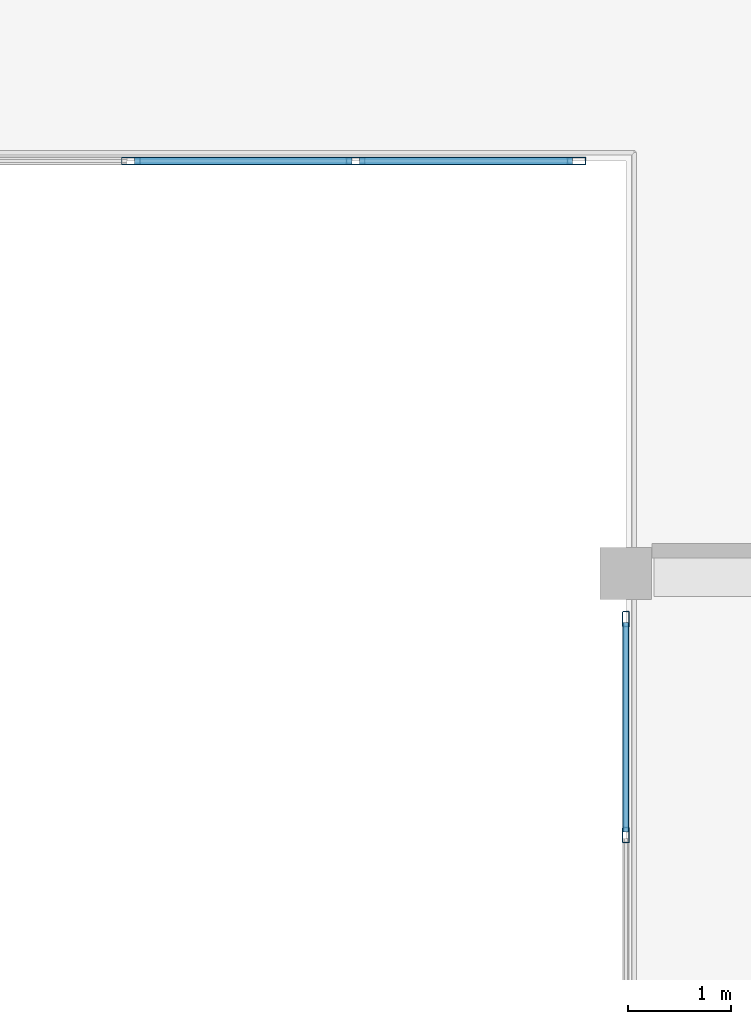
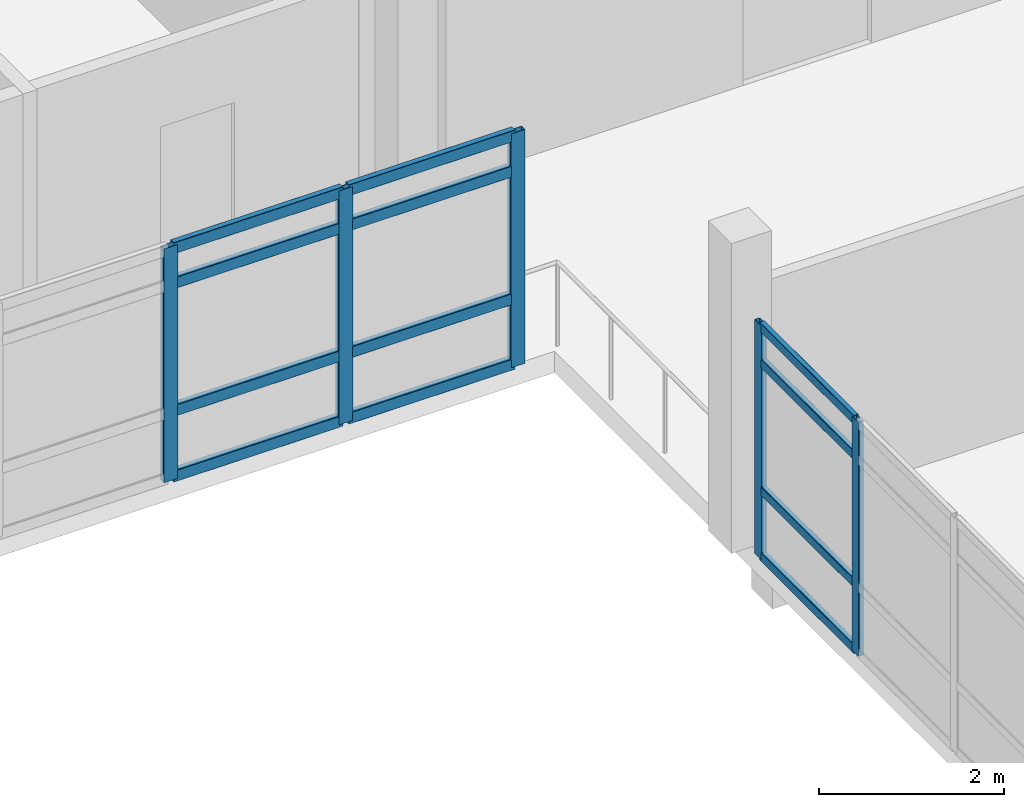
# One storey, part 11 of 24: 17 members, 2 elements without a shape of their own.
"""IFC4 building model written with IfcOpenShell, lengths in metres."""

import ifcopenshell
import ifcopenshell.guid

model = None  # the IFC model being written
_history = None  # IfcOwnerHistory: only IFC2X3 demands one
_inside = {}  # id of a spatial element -> (the spatial element, [elements in it])
_under = {}  # id of a project, library or spatial element -> (it, [spatial elements below it])
_declared = {}  # id of a project -> (the project, [libraries it declares])
_typed = {}  # id of a type object -> (the type object, [elements of that type])
_made_of = {}  # id of a material, layer set ... -> (it, [elements and type objects made of it])


def new_model(schema):
    """Start an empty IFC model of exactly this schema.

    Asked for "IFC4X3", IfcOpenShell would pick the latest addendum, in which some entities
    have other attributes; the version numbers below select the first issue.
    IFC2X3 requires an IfcOwnerHistory on every rooted entity: one is made here for all.
    """
    global model, _history
    if schema == "IFC4X3":
        model = ifcopenshell.file(schema_version=(4, 3, 0, 0))
    else:
        model = ifcopenshell.file(schema=schema)
    _inside.clear()
    _under.clear()
    _declared.clear()
    _typed.clear()
    _made_of.clear()
    _history = None
    if model.schema == "IFC2X3":
        org = make("IfcOrganization", Name="unknown")
        user = make(
            "IfcPersonAndOrganization",
            ThePerson=make("IfcPerson", FamilyName="unknown"),
            TheOrganization=org,
        )
        app = make(
            "IfcApplication",
            ApplicationDeveloper=org,
            Version="unknown",
            ApplicationFullName="unknown",
            ApplicationIdentifier="unknown",
        )
        _history = make(
            "IfcOwnerHistory",
            OwningUser=user,
            OwningApplication=app,
            ChangeAction="ADDED",
            CreationDate=0,
        )
    return model


def make(cls, **values):
    """One entity of the class cls with the attributes given. An attribute that is None is left unset."""
    return model.create_entity(
        cls, **{name: value for name, value in values.items() if value is not None}
    )


def rooted(cls, **values):
    """An entity with a GlobalId (a new one), such as an element, a storey or a relation."""
    return make(cls, GlobalId=ifcopenshell.guid.new(), OwnerHistory=_history, **values)


def si_unit(unit_type, name, prefix=None):
    """IfcSIUnit, for example si_unit("LENGTHUNIT", "METRE", prefix="MILLI")."""
    return make("IfcSIUnit", UnitType=unit_type, Prefix=prefix, Name=name)


def assignment(units):
    """IfcUnitAssignment: the units of a project."""
    return None if units is None else make("IfcUnitAssignment", Units=units)


def point(xyz):
    """IfcCartesianPoint."""
    return None if xyz is None else make("IfcCartesianPoint", Coordinates=xyz)


def direction(xyz):
    """IfcDirection."""
    return None if xyz is None else make("IfcDirection", DirectionRatios=xyz)


def frame(location, z_axis=None, x_axis=None):
    """IfcAxis2Placement3D, a coordinate frame: its origin and axes. An axis left out is left unset."""
    return make(
        "IfcAxis2Placement3D",
        Location=point(location),
        Axis=direction(z_axis),
        RefDirection=direction(x_axis),
    )


def frame_2d(location, x_axis=None):
    """IfcAxis2Placement2D, a coordinate frame in the plane: its origin and x axis."""
    return make(
        "IfcAxis2Placement2D", Location=point(location), RefDirection=direction(x_axis)
    )


def origin():
    """The frame at (0, 0, 0) with its axes left unset."""
    return frame((0.0, 0.0, 0.0))


def origin_2d():
    """The frame at (0, 0) in the plane with its x axis left unset."""
    return frame_2d((0.0, 0.0))


def place(relative_to, where):
    """IfcLocalPlacement: puts the frame where relative to a parent placement (None: the world)."""
    return make(
        "IfcLocalPlacement", PlacementRelTo=relative_to, RelativePlacement=where
    )


def context(
    kind, dimensions, precision=None, world=None, true_north=None, identifier=None
):
    """IfcGeometricRepresentationContext, for example the 3D "Model" context."""
    return make(
        "IfcGeometricRepresentationContext",
        ContextIdentifier=identifier,
        ContextType=kind,
        CoordinateSpaceDimension=dimensions,
        Precision=precision,
        WorldCoordinateSystem=world,
        TrueNorth=true_north,
    )


def subcontext(parent, identifier, kind, view, scale=None):
    """IfcGeometricRepresentationSubContext, for example "Body" below "Model"."""
    return make(
        "IfcGeometricRepresentationSubContext",
        ContextIdentifier=identifier,
        ContextType=kind,
        ParentContext=parent,
        TargetScale=scale,
        TargetView=view,
    )


def project(units=None, contexts=None):
    """IfcProject with its units and contexts."""
    return rooted(
        "IfcProject",
        Name="project",
        RepresentationContexts=contexts,
        UnitsInContext=assignment(units),
    )


def spatial(cls, under=None, at=None, **own):
    """A site, building, storey or space (cls), placed at a placement, below another one or the project."""
    s = rooted(cls, ObjectPlacement=at, **own)
    if under is not None:
        _under.setdefault(under.id(), (under, []))[1].append(s)
    return s


def profile(cls, at=None, kind="AREA", **sizes):
    """A parametric profile (cls). Its sizes go by their IFC names, for example OverallWidth=200.0."""
    return make(cls, ProfileType=kind, Position=at, **sizes)


def hollow_rectangle(**sizes):
    """IfcRectangleHollowProfileDef."""
    return profile("IfcRectangleHollowProfileDef", **sizes)


def extrude(swept, where, along, depth):
    """IfcExtrudedAreaSolid: the profile swept, set in the frame where, extruded along a direction by depth."""
    return make(
        "IfcExtrudedAreaSolid",
        SweptArea=swept,
        Position=where,
        ExtrudedDirection=direction(along),
        Depth=depth,
    )


def shape(context_of_items, identifier, shape_type, items):
    """IfcShapeRepresentation: the items that make up one representation, for example the "Body"."""
    return make(
        "IfcShapeRepresentation",
        ContextOfItems=context_of_items,
        RepresentationIdentifier=identifier,
        RepresentationType=shape_type,
        Items=items,
    )


def material(Name=None, Category=None):
    """IfcMaterial."""
    return make("IfcMaterial", Name=Name, Category=Category)


def layer(
    of_material, thickness, ventilated=None, Name=None, Category=None, Priority=None
):
    """IfcMaterialLayer: one layer of a wall or slab, of a material (None: an air gap)."""
    return make(
        "IfcMaterialLayer",
        Material=of_material,
        LayerThickness=thickness,
        IsVentilated=ventilated,
        Name=Name,
        Category=Category,
        Priority=Priority,
    )


def layer_set(layers, Name=None):
    """IfcMaterialLayerSet."""
    return make("IfcMaterialLayerSet", MaterialLayers=layers, LayerSetName=Name)


def material_profile(
    of_material, cross_section, Name=None, Category=None, Priority=None
):
    """IfcMaterialProfile: a cross section and its material."""
    return make(
        "IfcMaterialProfile",
        Name=Name,
        Material=of_material,
        Profile=cross_section,
        Priority=Priority,
        Category=Category,
    )


def profile_set(profiles, Name=None, composite=None):
    """IfcMaterialProfileSet."""
    return make(
        "IfcMaterialProfileSet",
        Name=Name,
        MaterialProfiles=profiles,
        CompositeProfile=composite,
    )


def made_of(thing, what):
    """Note that an element or type object is made of a material, layer set ...; save() writes the relation."""
    if what is not None:
        _made_of.setdefault(what.id(), (what, []))[1].append(thing)
    return thing


def type_object(cls, material=None, **own):
    """A type object (cls), such as IfcWallType, which elements share."""
    return made_of(rooted(cls, **own), material)


def element(
    cls,
    number,
    at=None,
    inside=None,
    cuts=None,
    type_object=None,
    material=None,
    context=None,
    identifier="Body",
    shape_type=None,
    held_by="IfcProductDefinitionShape",
    body=None,
    shapes=None,
    **own,
):
    """One element of the class cls, such as IfcWall. Its Tag is "e" and its number.

    at: its placement. inside: the storey or other place that contains it. cuts: it is an
    opening in that element (IfcRelVoidsElement). A single representation is given by context,
    identifier, shape_type and body (its items); several are given by shapes. held_by: the class
    of the entity that holds the representations. save() writes the other relations.
    """
    e = rooted(cls, Tag="e%d" % number, ObjectPlacement=at, **own)
    if body is not None:
        shapes = [shape(context, identifier, shape_type, body)]
    if shapes is not None:
        e.Representation = make(held_by, Representations=shapes)
    if inside is not None:
        _inside.setdefault(inside.id(), (inside, []))[1].append(e)
    if cuts is not None:
        rooted(
            "IfcRelVoidsElement", RelatingBuildingElement=cuts, RelatedOpeningElement=e
        )
    if type_object is not None:
        _typed.setdefault(type_object.id(), (type_object, []))[1].append(e)
    return made_of(e, material)


def aggregate(whole, parts):
    """IfcRelAggregates: a whole, such as a stair, and the parts it consists of."""
    return rooted("IfcRelAggregates", RelatingObject=whole, RelatedObjects=parts)


def save(model, path):
    """Write the relations noted so far, then the file.

    IfcRelAggregates (storeys below a building ...), IfcRelContainedInSpatialStructure (elements
    in a storey), IfcRelDefinesByType, IfcRelAssociatesMaterial and IfcRelDeclares: one each for
    every whole, place, type object, material and project.
    """
    for whole, parts in _under.values():
        aggregate(whole, parts)
    for where, things in _inside.values():
        rooted(
            "IfcRelContainedInSpatialStructure",
            RelatedElements=things,
            RelatingStructure=where,
        )
    for kind, things in _typed.values():
        rooted("IfcRelDefinesByType", RelatedObjects=things, RelatingType=kind)
    for what, things in _made_of.values():
        rooted("IfcRelAssociatesMaterial", RelatedObjects=things, RelatingMaterial=what)
    for by, libraries in _declared.values():
        rooted("IfcRelDeclares", RelatingContext=by, RelatedDefinitions=libraries)
    model.write(path)


model = new_model("IFC4")

# Units and contexts
model_context = context("Model", 3, precision=1e-05, world=origin(), true_north=direction((0.0, 1.0)))
body_context = subcontext(model_context, "Body", "Model", "MODEL_VIEW")
ifc_project = project(units=[si_unit("LENGTHUNIT", "METRE"), si_unit("AREAUNIT", "SQUARE_METRE"), si_unit("VOLUMEUNIT", "CUBIC_METRE"), si_unit("PLANEANGLEUNIT", "RADIAN"), si_unit("MASSUNIT", "GRAM", prefix="KILO")], contexts=[model_context])

# Site, building, storey
site_placement = place(None, origin())
site = spatial("IfcSite", under=ifc_project, at=site_placement, CompositionType="ELEMENT")
building_placement = place(site_placement, origin())
building = spatial("IfcBuilding", under=site, at=building_placement, Name="Asteropetra Specialist Clinic", CompositionType="ELEMENT")
storey_placement = place(building_placement, frame((0.0, 0.0, 20.739990234375)))
storey = spatial("IfcBuildingStorey", under=building, at=storey_placement, Name="L05", CompositionType="ELEMENT", Elevation=20.739990234375)

# Curtain wall, members
ifc_material_1 = material(Name="Aluminium and low-E glass", Category="aluminium")
ifc_layer_1 = layer(ifc_material_1, 0.135009765625)
ifc_layer_set_1 = layer_set([ifc_layer_1], Name="Aluminium and low-E glass")
curtain_wall_type_1 = type_object("IfcCurtainWallType", Name="CW-SYS-06", PredefinedType="USERDEFINED", material=ifc_layer_set_1)
curtain_wall_1_placement = place(storey_placement, origin())
curtain_wall_1 = element("IfcCurtainWall", 1, at=curtain_wall_1_placement, inside=storey, type_object=curtain_wall_type_1, Name="Curtain Wall CW-064", ObjectType="UNITISED CURTAIN WALL", PredefinedType="USERDEFINED")
ifc_material_2 = material(Name="Aluminium 6063-T6", Category="aluminium")
ifc_material_profile_1 = material_profile(ifc_material_2, hollow_rectangle(XDim=0.06494140625, YDim=0.14990234375, WallThickness=0.00390625, InnerFilletRadius=0.00390625, OuterFilletRadius=0.008056640625, at=origin_2d()), Name="MUL 150x65x4.0")
ifc_profile_set_1 = profile_set([ifc_material_profile_1], Name="Aluminium 6063-T6")
member_type_1 = type_object("IfcMemberType", Name="CWM-150x65", PredefinedType="MULLION", material=ifc_profile_set_1)
member_1_placement = place(storey_placement, frame((28.800048828125, 88.663330078125, 0.0), z_axis=(0.0, 0.0, 1.0), x_axis=(-1.0, 0.0, 0.0)))
member_1 = element("IfcMember", 2, at=member_1_placement, type_object=member_type_1, Name="CW-064 mullion 3", PredefinedType="MULLION", context=body_context, shape_type="SweptSolid", body=[
    extrude(hollow_rectangle(XDim=0.06494140625, YDim=0.14990234375, WallThickness=0.00390625, InnerFilletRadius=0.00390625, OuterFilletRadius=0.008056640625, at=origin_2d()), origin(), (0.0, 0.0, 1.0), 3.080078125),
])
member_2_placement = place(storey_placement, frame((28.800048828125, 90.757568359375, 0.0), z_axis=(0.0, 0.0, 1.0), x_axis=(-1.0, 0.0, 0.0)))
member_2 = element("IfcMember", 3, at=member_2_placement, type_object=member_type_1, Name="CW-064 mullion 4", PredefinedType="MULLION", context=body_context, shape_type="SweptSolid", body=[
    extrude(hollow_rectangle(XDim=0.06494140625, YDim=0.14990234375, WallThickness=0.00390625, InnerFilletRadius=0.00390625, OuterFilletRadius=0.008056640625, at=origin_2d()), origin(), (0.0, 0.0, 1.0), 3.080078125),
])

ifc_material_3 = material(Name="Aluminium and low-E glass", Category="aluminium")
ifc_layer_2 = layer(ifc_material_3, 0.179931640625)
ifc_layer_set_2 = layer_set([ifc_layer_2], Name="Aluminium and low-E glass")
curtain_wall_type_2 = type_object("IfcCurtainWallType", Name="CW-SYS-04", PredefinedType="USERDEFINED", material=ifc_layer_set_2)
curtain_wall_2_placement = place(storey_placement, origin())
curtain_wall_2 = element("IfcCurtainWall", 4, at=curtain_wall_2_placement, inside=storey, type_object=curtain_wall_type_2, Name="Curtain Wall CW-060", ObjectType="UNITISED CURTAIN WALL", PredefinedType="USERDEFINED")
ifc_material_4 = material(Name="Aluminium 6063-T6", Category="aluminium")
ifc_material_profile_2 = material_profile(ifc_material_4, hollow_rectangle(XDim=0.074951171875, YDim=0.179931640625, WallThickness=0.00390625, InnerFilletRadius=0.00390625, OuterFilletRadius=0.008056640625, at=origin_2d()), Name="MUL 180x75x4.0")
ifc_profile_set_2 = profile_set([ifc_material_profile_2], Name="Aluminium 6063-T6")
member_type_2 = type_object("IfcMemberType", Name="CWM-180x75", PredefinedType="MULLION", material=ifc_profile_set_2)
member_3_placement = place(storey_placement, frame((28.322509765625, 95.199951171875, 0.0), z_axis=(0.0, 0.0, 1.0), x_axis=(0.0, -1.0, 0.0)))
member_3 = element("IfcMember", 5, at=member_3_placement, type_object=member_type_2, Name="CW-060 mullion 1", PredefinedType="MULLION", context=body_context, shape_type="SweptSolid", body=[
    extrude(hollow_rectangle(XDim=0.074951171875, YDim=0.179931640625, WallThickness=0.00390625, InnerFilletRadius=0.00390625, OuterFilletRadius=0.008056640625, at=origin_2d()), origin(), (0.0, 0.0, 1.0), 3.080078125),
])
member_4_placement = place(storey_placement, frame((26.179931640625, 95.199951171875, 0.0), z_axis=(0.0, 0.0, 1.0), x_axis=(0.0, -1.0, 0.0)))
member_4 = element("IfcMember", 6, at=member_4_placement, type_object=member_type_2, Name="CW-060 mullion 2", PredefinedType="MULLION", context=body_context, shape_type="SweptSolid", body=[
    extrude(hollow_rectangle(XDim=0.074951171875, YDim=0.179931640625, WallThickness=0.00390625, InnerFilletRadius=0.00390625, OuterFilletRadius=0.008056640625, at=origin_2d()), origin(), (0.0, 0.0, 1.0), 3.080078125),
])
member_5_placement = place(storey_placement, frame((24.0, 95.199951171875, 0.0), z_axis=(0.0, 0.0, 1.0), x_axis=(0.0, -1.0, 0.0)))
member_5 = element("IfcMember", 7, at=member_5_placement, type_object=member_type_2, Name="CW-060 mullion 3", PredefinedType="MULLION", context=body_context, shape_type="SweptSolid", body=[
    extrude(hollow_rectangle(XDim=0.074951171875, YDim=0.179931640625, WallThickness=0.00390625, InnerFilletRadius=0.00390625, OuterFilletRadius=0.008056640625, at=origin_2d()), origin(), (0.0, 0.0, 1.0), 3.080078125),
])

# Member
ifc_material_5 = material(Name="Aluminium 6063-T6", Category="aluminium")
ifc_material_profile_3 = material_profile(ifc_material_5, hollow_rectangle(XDim=0.06494140625, YDim=0.1201171875, WallThickness=0.00390625, InnerFilletRadius=0.00390625, OuterFilletRadius=0.008056640625, at=origin_2d()), Name="TRN 120x65x4.0")
ifc_profile_set_3 = profile_set([ifc_material_profile_3], Name="Aluminium 6063-T6")
member_type_3 = type_object("IfcMemberType", Name="CWT-120x65", PredefinedType="USERDEFINED", material=ifc_profile_set_3)
member_6_placement = place(storey_placement, frame((28.800048828125, 88.69580078125, 0.032470703125), z_axis=(0.0, 1.0, 0.0), x_axis=(-1.0, 0.0, 0.0)))
member_6 = element("IfcMember", 8, at=member_6_placement, type_object=member_type_3, Name="CW-064 transom 3.1", ObjectType="TRANSOM", PredefinedType="USERDEFINED", context=body_context, shape_type="SweptSolid", body=[
    extrude(hollow_rectangle(XDim=0.06494140625, YDim=0.1201171875, WallThickness=0.00390625, InnerFilletRadius=0.00390625, OuterFilletRadius=0.008056640625, at=origin_2d()), origin(), (0.0, 0.0, 1.0), 2.029296875),
])

member_7_placement = place(storey_placement, frame((28.800048828125, 88.69580078125, 0.89990234375), z_axis=(0.0, 1.0, 0.0), x_axis=(-1.0, 0.0, 0.0)))
member_7 = element("IfcMember", 9, at=member_7_placement, type_object=member_type_3, Name="CW-064 transom 3.2", ObjectType="TRANSOM", PredefinedType="USERDEFINED", context=body_context, shape_type="SweptSolid", body=[
    extrude(hollow_rectangle(XDim=0.06494140625, YDim=0.1201171875, WallThickness=0.00390625, InnerFilletRadius=0.00390625, OuterFilletRadius=0.008056640625, at=origin_2d()), origin(), (0.0, 0.0, 1.0), 2.029296875),
])

member_8_placement = place(storey_placement, frame((28.800048828125, 88.69580078125, 2.580078125), z_axis=(0.0, 1.0, 0.0), x_axis=(-1.0, 0.0, 0.0)))
member_8 = element("IfcMember", 10, at=member_8_placement, type_object=member_type_3, Name="CW-064 transom 3.3", ObjectType="TRANSOM", PredefinedType="USERDEFINED", context=body_context, shape_type="SweptSolid", body=[
    extrude(hollow_rectangle(XDim=0.06494140625, YDim=0.1201171875, WallThickness=0.00390625, InnerFilletRadius=0.00390625, OuterFilletRadius=0.008056640625, at=origin_2d()), origin(), (0.0, 0.0, 1.0), 2.029296875),
])

member_9_placement = place(storey_placement, frame((28.800048828125, 88.69580078125, 3.047607421875), z_axis=(0.0, 1.0, 0.0), x_axis=(-1.0, 0.0, 0.0)))
member_9 = element("IfcMember", 11, at=member_9_placement, type_object=member_type_3, Name="CW-064 transom 3.4", ObjectType="TRANSOM", PredefinedType="USERDEFINED", context=body_context, shape_type="SweptSolid", body=[
    extrude(hollow_rectangle(XDim=0.06494140625, YDim=0.1201171875, WallThickness=0.00390625, InnerFilletRadius=0.00390625, OuterFilletRadius=0.008056640625, at=origin_2d()), origin(), (0.0, 0.0, 1.0), 2.029296875),
])

aggregate(curtain_wall_1, [member_1, member_2, member_6, member_7, member_8, member_9])

ifc_material_6 = material(Name="Aluminium 6063-T6", Category="aluminium")
ifc_material_profile_4 = material_profile(ifc_material_6, hollow_rectangle(XDim=0.074951171875, YDim=0.14990234375, WallThickness=0.00390625, InnerFilletRadius=0.00390625, OuterFilletRadius=0.008056640625, at=origin_2d()), Name="TRN 150x75x4.0")
ifc_profile_set_4 = profile_set([ifc_material_profile_4], Name="Aluminium 6063-T6")
member_type_4 = type_object("IfcMemberType", Name="CWT-150x75", PredefinedType="USERDEFINED", material=ifc_profile_set_4)
member_10_placement = place(storey_placement, frame((28.284912109375, 95.199951171875, 0.03759765625), z_axis=(-1.0, 0.0, 0.0), x_axis=(0.0, -1.0, 0.0)))
member_10 = element("IfcMember", 12, at=member_10_placement, type_object=member_type_4, Name="CW-060 transom 1.1", ObjectType="TRANSOM", PredefinedType="USERDEFINED", context=body_context, shape_type="SweptSolid", body=[
    extrude(hollow_rectangle(XDim=0.074951171875, YDim=0.14990234375, WallThickness=0.00390625, InnerFilletRadius=0.00390625, OuterFilletRadius=0.008056640625, at=origin_2d()), origin(), (0.0, 0.0, 1.0), 2.0673828125),
])

member_11_placement = place(storey_placement, frame((28.284912109375, 95.199951171875, 0.89990234375), z_axis=(-1.0, 0.0, 0.0), x_axis=(0.0, -1.0, 0.0)))
member_11 = element("IfcMember", 13, at=member_11_placement, type_object=member_type_4, Name="CW-060 transom 1.2", ObjectType="TRANSOM", PredefinedType="USERDEFINED", context=body_context, shape_type="SweptSolid", body=[
    extrude(hollow_rectangle(XDim=0.074951171875, YDim=0.14990234375, WallThickness=0.00390625, InnerFilletRadius=0.00390625, OuterFilletRadius=0.008056640625, at=origin_2d()), origin(), (0.0, 0.0, 1.0), 2.0673828125),
])

member_12_placement = place(storey_placement, frame((28.284912109375, 95.199951171875, 2.580078125), z_axis=(-1.0, 0.0, 0.0), x_axis=(0.0, -1.0, 0.0)))
member_12 = element("IfcMember", 14, at=member_12_placement, type_object=member_type_4, Name="CW-060 transom 1.3", ObjectType="TRANSOM", PredefinedType="USERDEFINED", context=body_context, shape_type="SweptSolid", body=[
    extrude(hollow_rectangle(XDim=0.074951171875, YDim=0.14990234375, WallThickness=0.00390625, InnerFilletRadius=0.00390625, OuterFilletRadius=0.008056640625, at=origin_2d()), origin(), (0.0, 0.0, 1.0), 2.0673828125),
])

member_13_placement = place(storey_placement, frame((28.284912109375, 95.199951171875, 3.04248046875), z_axis=(-1.0, 0.0, 0.0), x_axis=(0.0, -1.0, 0.0)))
member_13 = element("IfcMember", 15, at=member_13_placement, type_object=member_type_4, Name="CW-060 transom 1.4", ObjectType="TRANSOM", PredefinedType="USERDEFINED", context=body_context, shape_type="SweptSolid", body=[
    extrude(hollow_rectangle(XDim=0.074951171875, YDim=0.14990234375, WallThickness=0.00390625, InnerFilletRadius=0.00390625, OuterFilletRadius=0.008056640625, at=origin_2d()), origin(), (0.0, 0.0, 1.0), 2.0673828125),
])

member_14_placement = place(storey_placement, frame((26.142578125, 95.199951171875, 0.03759765625), z_axis=(-1.0, 0.0, 0.0), x_axis=(0.0, -1.0, 0.0)))
member_14 = element("IfcMember", 16, at=member_14_placement, type_object=member_type_4, Name="CW-060 transom 2.1", ObjectType="TRANSOM", PredefinedType="USERDEFINED", context=body_context, shape_type="SweptSolid", body=[
    extrude(hollow_rectangle(XDim=0.074951171875, YDim=0.14990234375, WallThickness=0.00390625, InnerFilletRadius=0.00390625, OuterFilletRadius=0.008056640625, at=origin_2d()), origin(), (0.0, 0.0, 1.0), 2.10498046875),
])

member_15_placement = place(storey_placement, frame((26.142578125, 95.199951171875, 0.89990234375), z_axis=(-1.0, 0.0, 0.0), x_axis=(0.0, -1.0, 0.0)))
member_15 = element("IfcMember", 17, at=member_15_placement, type_object=member_type_4, Name="CW-060 transom 2.2", ObjectType="TRANSOM", PredefinedType="USERDEFINED", context=body_context, shape_type="SweptSolid", body=[
    extrude(hollow_rectangle(XDim=0.074951171875, YDim=0.14990234375, WallThickness=0.00390625, InnerFilletRadius=0.00390625, OuterFilletRadius=0.008056640625, at=origin_2d()), origin(), (0.0, 0.0, 1.0), 2.10498046875),
])

member_16_placement = place(storey_placement, frame((26.142578125, 95.199951171875, 2.580078125), z_axis=(-1.0, 0.0, 0.0), x_axis=(0.0, -1.0, 0.0)))
member_16 = element("IfcMember", 18, at=member_16_placement, type_object=member_type_4, Name="CW-060 transom 2.3", ObjectType="TRANSOM", PredefinedType="USERDEFINED", context=body_context, shape_type="SweptSolid", body=[
    extrude(hollow_rectangle(XDim=0.074951171875, YDim=0.14990234375, WallThickness=0.00390625, InnerFilletRadius=0.00390625, OuterFilletRadius=0.008056640625, at=origin_2d()), origin(), (0.0, 0.0, 1.0), 2.10498046875),
])

member_17_placement = place(storey_placement, frame((26.142578125, 95.199951171875, 3.04248046875), z_axis=(-1.0, 0.0, 0.0), x_axis=(0.0, -1.0, 0.0)))
member_17 = element("IfcMember", 19, at=member_17_placement, type_object=member_type_4, Name="CW-060 transom 2.4", ObjectType="TRANSOM", PredefinedType="USERDEFINED", context=body_context, shape_type="SweptSolid", body=[
    extrude(hollow_rectangle(XDim=0.074951171875, YDim=0.14990234375, WallThickness=0.00390625, InnerFilletRadius=0.00390625, OuterFilletRadius=0.008056640625, at=origin_2d()), origin(), (0.0, 0.0, 1.0), 2.10498046875),
])

aggregate(curtain_wall_2, [member_3, member_4, member_5, member_10, member_11, member_12, member_13, member_14, member_15, member_16, member_17])

save(model, "model.ifc")
